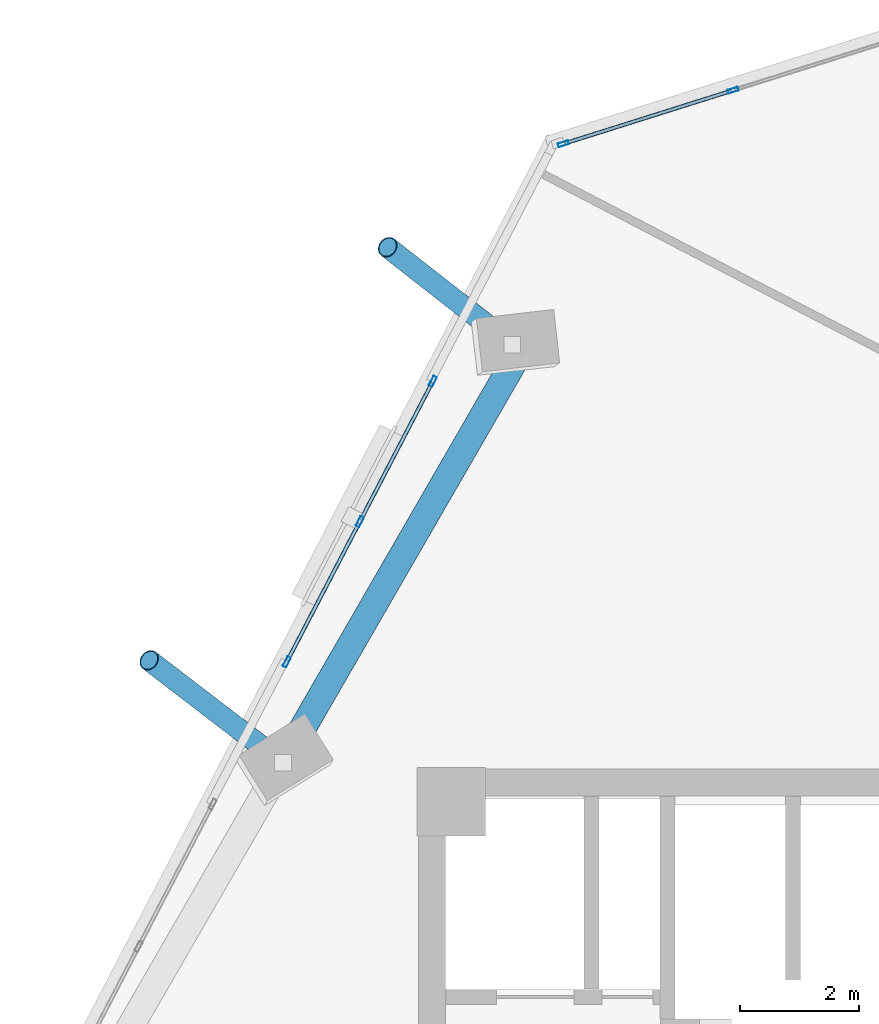
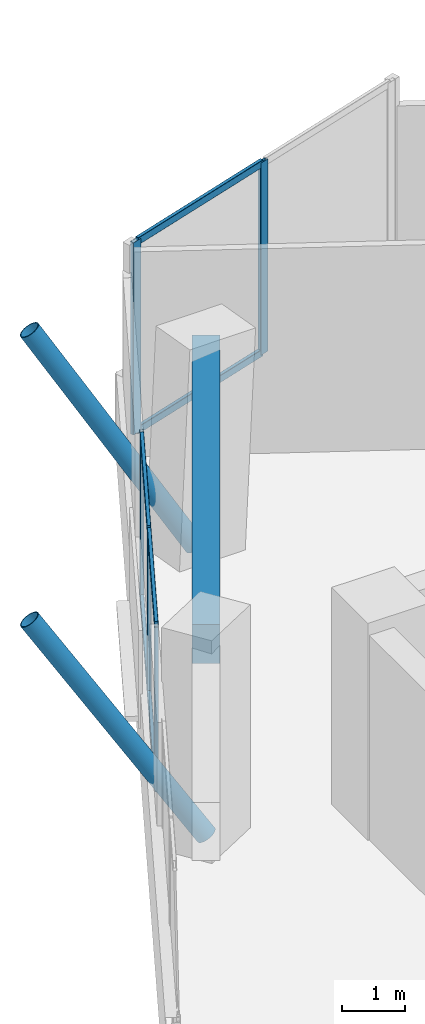
# One storey, part 11 of 22: 13 members, 1 beam, 2 elements without a shape of their own.
"""IFC4 building model written with IfcOpenShell, lengths in metres."""

from ifc_helpers import new_model, si_unit, direction, frame, origin, origin_2d, place, context, subcontext, project, spatial, rectangle, hollow_rectangle, hollow_circle, extrude, source, transform, mapped, material, material_profile, profile_set, type_object, element, aggregate, save


model = new_model("IFC4")

# Units and contexts
model_context = context("Model", 3, precision=1e-05, world=origin(), true_north=direction((0.0, 1.0)))
body_context = subcontext(model_context, "Body", "Model", "MODEL_VIEW")
ifc_project = project(units=[si_unit("LENGTHUNIT", "METRE"), si_unit("AREAUNIT", "SQUARE_METRE"), si_unit("VOLUMEUNIT", "CUBIC_METRE"), si_unit("PLANEANGLEUNIT", "RADIAN"), si_unit("MASSUNIT", "GRAM", prefix="KILO")], contexts=[model_context])

# Site, building, storey
site_placement = place(None, origin())
site = spatial("IfcSite", under=ifc_project, at=site_placement, CompositionType="ELEMENT")
building_placement = place(site_placement, origin())
building = spatial("IfcBuilding", under=site, at=building_placement, Name="Torre Montelarca", CompositionType="ELEMENT")
storey_placement = place(building_placement, frame((0.0, 0.0, 175.0)))
storey = spatial("IfcBuildingStorey", under=building, at=storey_placement, Name="L39", CompositionType="ELEMENT", Elevation=175.0)

# Members
ifc_material_1 = material(Name="Steel ASTM A500 Grade C", Category="steel")
ifc_material_profile_1 = material_profile(ifc_material_1, hollow_circle(Radius=0.177734375, WallThickness=0.015869140625, at=origin_2d()), Name="HSS355.6X15.9", Category="steel")
ifc_profile_set_1 = profile_set([ifc_material_profile_1], Name="Steel ASTM A500 Grade C")
member_type_1 = type_object("IfcMemberType", Name="MB-BR-CHS356-EXT", PredefinedType="BRACE", material=ifc_profile_set_1)
shared_shape_1 = source(origin(), body_context, "Body", "SweptSolid", [
    extrude(hollow_circle(Radius=0.177734375, WallThickness=0.015869140625, at=origin_2d()), origin(), (0.0, 0.0, 1.0), 4.82568359375),
])
member_1_placement = place(storey_placement, frame((6.727294921875, 40.104736328125, 0.14990234375), z_axis=(-0.465146180283, 0.35647378576, 0.810287276856), x_axis=(-0.608282916889, -0.793720286386, 0.0)))
element("IfcMember", 1, at=member_1_placement, inside=storey, type_object=member_type_1, Name="L40 Sliding Tray Exterior Diagonal Raker Strut W2", PredefinedType="BRACE", context=body_context, shape_type="MappedRepresentation", body=[
    mapped(shared_shape_1, transform((0.0, 0.0, 0.0), scale=1.0)),
])
shared_shape_2 = source(origin(), body_context, "Body", "SweptSolid", [
    extrude(hollow_circle(Radius=0.177734375, WallThickness=0.015869140625, at=origin_2d()), origin(), (0.0, 0.0, 1.0), 4.7265625),
])
member_2_placement = place(storey_placement, frame((10.5751953125, 47.118408203125, 0.14990234375), z_axis=(-0.442716284825, 0.345867255068, 0.827271498979), x_axis=(-0.615638689404, -0.788028555389, 0.0)))
element("IfcMember", 2, at=member_2_placement, inside=storey, type_object=member_type_1, Name="L40 Sliding Tray Exterior Diagonal Raker Strut W3", PredefinedType="BRACE", context=body_context, shape_type="MappedRepresentation", body=[
    mapped(shared_shape_2, transform((0.0, 0.0, 0.0), scale=1.0)),
])

# Beam
ifc_material_2 = material(Name="Concrete C55/67", Category="concrete")
ifc_material_profile_2 = material_profile(ifc_material_2, rectangle(XDim=0.449951171875, YDim=0.75, at=origin_2d()), Name="RCB450X750", Category="concrete")
ifc_profile_set_2 = profile_set([ifc_material_profile_2], Name="Concrete C55/67")
beam_type = type_object("IfcBeamType", Name="BM-SP-RC750-EXT", PredefinedType="SPANDREL", material=ifc_profile_set_2)
shared_shape_3 = source(origin(), body_context, "Body", "SweptSolid", [
    extrude(rectangle(XDim=0.449951171875, YDim=0.75, at=origin_2d()), origin(), (0.0, 0.0, 1.0), 8.0),
])
beam_placement = place(storey_placement, frame((6.907470703125, 40.425048828125, 3.5849609375), z_axis=(0.49999894854, 0.866026010844, 0.0), x_axis=(-0.866026010844, 0.49999894854, 0.0)))
element("IfcBeam", 3, at=beam_placement, inside=storey, type_object=beam_type, Name="L39 Grid Girder Y 32.0-40.0 at X=4.7", PredefinedType="SPANDREL", context=body_context, shape_type="MappedRepresentation", body=[
    mapped(shared_shape_3, transform((0.0, 0.0, 0.0), scale=1.0)),
])

# Curtain wall, members
ifc_material_3 = material(Name="Insulated low-E laminated glass", Category="glass")
curtain_wall_type = type_object("IfcCurtainWallType", Name="CW-SYS-Z2", PredefinedType="USERDEFINED", material=ifc_material_3)
curtain_wall_1_placement = place(storey_placement, origin())
curtain_wall_1 = element("IfcCurtainWall", 4, at=curtain_wall_1_placement, inside=storey, type_object=curtain_wall_type, Name="L39 Curtain Wall Run CW-T3-L39-E09-B1", ObjectType="UNITISED GLAZING", PredefinedType="USERDEFINED")
ifc_material_4 = material(Name="Anodised aluminium AA 6063-T6", Category="aluminium")
ifc_material_profile_3 = material_profile(ifc_material_4, hollow_rectangle(XDim=0.06494140625, YDim=0.139892578125, WallThickness=0.00390625, InnerFilletRadius=0.00390625, OuterFilletRadius=0.008056640625, at=origin_2d()), Name="ALU65X140X4", Category="aluminium")
ifc_profile_set_3 = profile_set([ifc_material_profile_3], Name="Anodised aluminium AA 6063-T6")
member_type_2 = type_object("IfcMemberType", Name="CWT-ALU140", PredefinedType="USERDEFINED", material=ifc_profile_set_3)
shared_shape_4 = source(origin(), body_context, "Body", "SweptSolid", [
    extrude(hollow_rectangle(XDim=0.06494140625, YDim=0.139892578125, WallThickness=0.00390625, InnerFilletRadius=0.00390625, OuterFilletRadius=0.008056640625, at=origin_2d()), origin(), (0.0, 0.0, 1.0), 2.91845703125),
])
member_3_placement = place(storey_placement, frame((14.2451171875, 51.3740234375, 0.032470703125), z_axis=(-0.953710269036, -0.300726990368, 0.0), x_axis=(0.300726990368, -0.953710269036, 0.0)))
member_3 = element("IfcMember", 5, at=member_3_placement, type_object=member_type_2, Name="CW transom 2.1", ObjectType="TRANSOM", PredefinedType="USERDEFINED", context=body_context, shape_type="MappedRepresentation", body=[
    mapped(shared_shape_4, transform((0.0, 0.0, 0.0), scale=1.0)),
])
member_4_placement = place(storey_placement, frame((14.2451171875, 51.3740234375, 3.6875), z_axis=(-0.953710269036, -0.300726990368, 0.0), x_axis=(0.300726990368, -0.953710269036, 0.0)))
member_4 = element("IfcMember", 6, at=member_4_placement, type_object=member_type_2, Name="CW transom 2.2", ObjectType="TRANSOM", PredefinedType="USERDEFINED", context=body_context, shape_type="MappedRepresentation", body=[
    mapped(shared_shape_4, transform((0.0, 0.0, 0.0), scale=1.0)),
])

curtain_wall_2_placement = place(storey_placement, origin())
curtain_wall_2 = element("IfcCurtainWall", 7, at=curtain_wall_2_placement, inside=storey, type_object=curtain_wall_type, Name="L39 Curtain Wall Run CW-T3-L39-E10-B1", ObjectType="UNITISED GLAZING", PredefinedType="USERDEFINED")
shared_shape_5 = source(origin(), body_context, "Body", "SweptSolid", [
    extrude(hollow_rectangle(XDim=0.06494140625, YDim=0.139892578125, WallThickness=0.00390625, InnerFilletRadius=0.00390625, OuterFilletRadius=0.008056640625, at=origin_2d()), origin(), (0.0, 0.0, 1.0), 2.587890625),
])
member_5_placement = place(storey_placement, frame((9.226318359375, 46.473388671875, 0.032470703125), z_axis=(-0.461795270217, -0.886986543531, 0.0), x_axis=(0.886986543531, -0.461795270217, 0.0)))
member_5 = element("IfcMember", 8, at=member_5_placement, type_object=member_type_2, Name="CW transom 1.1", ObjectType="TRANSOM", PredefinedType="USERDEFINED", context=body_context, shape_type="MappedRepresentation", body=[
    mapped(shared_shape_5, transform((0.0, 0.0, 0.0), scale=1.0)),
])
member_6_placement = place(storey_placement, frame((9.226318359375, 46.473388671875, 3.142578125), z_axis=(-0.461795270217, -0.886986543531, 0.0), x_axis=(0.886986543531, -0.461795270217, 0.0)))
member_6 = element("IfcMember", 9, at=member_6_placement, type_object=member_type_2, Name="CW transom 1.2", ObjectType="TRANSOM", PredefinedType="USERDEFINED", context=body_context, shape_type="MappedRepresentation", body=[
    mapped(shared_shape_5, transform((0.0, 0.0, 0.0), scale=1.0)),
])
member_7_placement = place(storey_placement, frame((8.00146484375, 44.120361328125, 0.032470703125), z_axis=(-0.461795270217, -0.886986543531, 0.0), x_axis=(0.886986543531, -0.461795270217, 0.0)))
member_7 = element("IfcMember", 10, at=member_7_placement, type_object=member_type_2, Name="CW transom 2.1", ObjectType="TRANSOM", PredefinedType="USERDEFINED", context=body_context, shape_type="MappedRepresentation", body=[
    mapped(shared_shape_5, transform((0.0, 0.0, 0.0), scale=1.0)),
])
member_8_placement = place(storey_placement, frame((8.00146484375, 44.120361328125, 3.142578125), z_axis=(-0.461795270217, -0.886986543531, 0.0), x_axis=(0.886986543531, -0.461795270217, 0.0)))
member_8 = element("IfcMember", 11, at=member_8_placement, type_object=member_type_2, Name="CW transom 2.2", ObjectType="TRANSOM", PredefinedType="USERDEFINED", context=body_context, shape_type="MappedRepresentation", body=[
    mapped(shared_shape_5, transform((0.0, 0.0, 0.0), scale=1.0)),
])

# Member
ifc_material_profile_4 = material_profile(ifc_material_4, hollow_rectangle(XDim=0.06494140625, YDim=0.179931640625, WallThickness=0.00390625, InnerFilletRadius=0.00390625, OuterFilletRadius=0.008056640625, at=origin_2d()), Name="ALU65X180X4", Category="aluminium")
ifc_profile_set_4 = profile_set([ifc_material_profile_4], Name="Anodised aluminium AA 6063-T6")
member_type_3 = type_object("IfcMemberType", Name="CWM-ALU180", PredefinedType="MULLION", material=ifc_profile_set_4)
shared_shape_6 = source(origin(), body_context, "Body", "SweptSolid", [
    extrude(hollow_rectangle(XDim=0.06494140625, YDim=0.179931640625, WallThickness=0.00390625, InnerFilletRadius=0.00390625, OuterFilletRadius=0.008056640625, at=origin_2d()), origin(), (0.0, 0.0, 1.0), 3.719970703125),
])
member_9_placement = place(storey_placement, frame((14.276123046875, 51.3837890625, 0.0), z_axis=(0.0, 0.0, 1.0), x_axis=(0.30069894448, -0.953719112102, 0.0)))
member_9 = element("IfcMember", 12, at=member_9_placement, type_object=member_type_3, Name="CW mullion 2", PredefinedType="MULLION", context=body_context, shape_type="MappedRepresentation", body=[
    mapped(shared_shape_6, transform((0.0, 0.0, 0.0), scale=1.0)),
])

member_10_placement = place(storey_placement, frame((11.4306640625, 50.486572265625, 0.0), z_axis=(0.0, 0.0, 1.0), x_axis=(0.30069894448, -0.953719112102, 0.0)))
member_10 = element("IfcMember", 13, at=member_10_placement, type_object=member_type_3, Name="CW mullion 3", PredefinedType="MULLION", context=body_context, shape_type="MappedRepresentation", body=[
    mapped(shared_shape_6, transform((0.0, 0.0, 0.0), scale=1.0)),
])

aggregate(curtain_wall_1, [member_9, member_10, member_3, member_4])

shared_shape_7 = source(origin(), body_context, "Body", "SweptSolid", [
    extrude(hollow_rectangle(XDim=0.06494140625, YDim=0.179931640625, WallThickness=0.00390625, InnerFilletRadius=0.00390625, OuterFilletRadius=0.008056640625, at=origin_2d()), origin(), (0.0, 0.0, 1.0), 3.175048828125),
])
member_11_placement = place(storey_placement, frame((9.2412109375, 46.502197265625, 0.0), z_axis=(0.0, 0.0, 1.0), x_axis=(0.887013073112, -0.461744310337, 0.0)))
member_11 = element("IfcMember", 14, at=member_11_placement, type_object=member_type_3, Name="CW mullion 1", PredefinedType="MULLION", context=body_context, shape_type="MappedRepresentation", body=[
    mapped(shared_shape_7, transform((0.0, 0.0, 0.0), scale=1.0)),
])

member_12_placement = place(storey_placement, frame((8.016357421875, 44.149169921875, 0.0), z_axis=(0.0, 0.0, 1.0), x_axis=(0.887013073112, -0.461744310337, 0.0)))
member_12 = element("IfcMember", 15, at=member_12_placement, type_object=member_type_3, Name="CW mullion 2", PredefinedType="MULLION", context=body_context, shape_type="MappedRepresentation", body=[
    mapped(shared_shape_7, transform((0.0, 0.0, 0.0), scale=1.0)),
])

member_13_placement = place(storey_placement, frame((6.79150390625, 41.796142578125, 0.0), z_axis=(0.0, 0.0, 1.0), x_axis=(0.887013073112, -0.461744310337, 0.0)))
member_13 = element("IfcMember", 16, at=member_13_placement, type_object=member_type_3, Name="CW mullion 3", PredefinedType="MULLION", context=body_context, shape_type="MappedRepresentation", body=[
    mapped(shared_shape_7, transform((0.0, 0.0, 0.0), scale=1.0)),
])

aggregate(curtain_wall_2, [member_11, member_12, member_13, member_5, member_6, member_7, member_8])

save(model, "model.ifc")
